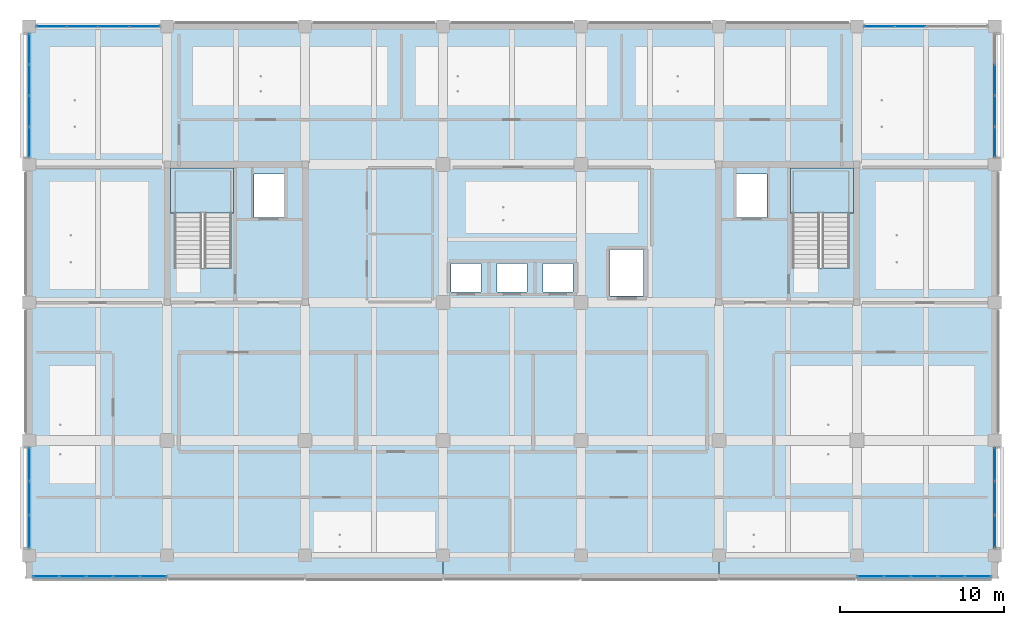
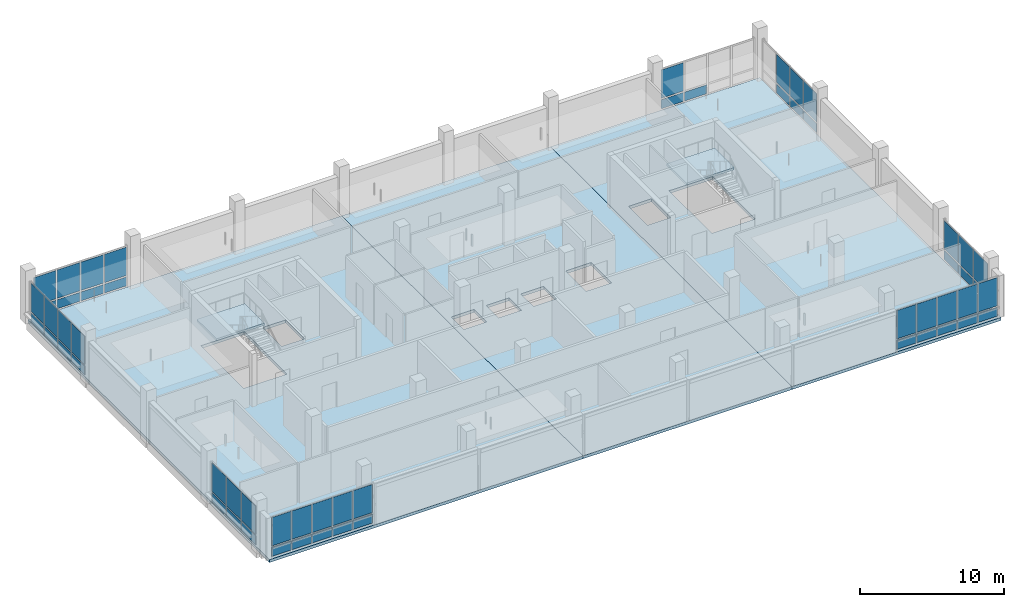
# One storey, part 10 of 35: 57 plates, 5 slabs, 10 elements without a shape of their own.
"""IFC4 building model written with IfcOpenShell, lengths in metres."""

from ifc_helpers import new_model, si_unit, direction, frame, origin, origin_2d, place, context, subcontext, project, spatial, polyline, rectangle, outline, extrude, material, layer, layer_set, type_object, element, aggregate, save


model = new_model("IFC4")

# Units and contexts
model_context = context("Model", 3, precision=1e-05, world=origin(), true_north=direction((0.0, 1.0)))
body_context = subcontext(model_context, "Body", "Model", "MODEL_VIEW")
ifc_project = project(units=[si_unit("LENGTHUNIT", "METRE"), si_unit("AREAUNIT", "SQUARE_METRE"), si_unit("VOLUMEUNIT", "CUBIC_METRE"), si_unit("PLANEANGLEUNIT", "RADIAN"), si_unit("MASSUNIT", "GRAM", prefix="KILO")], contexts=[model_context])

# Site, building, storey
site_placement = place(None, origin())
site = spatial("IfcSite", under=ifc_project, at=site_placement, CompositionType="ELEMENT")
building_placement = place(site_placement, origin())
building = spatial("IfcBuilding", under=site, at=building_placement, Name="Telukmera Botanical Conservatory", CompositionType="ELEMENT")
storey_placement = place(building_placement, frame((0.0, 0.0, 28.5)))
storey = spatial("IfcBuildingStorey", under=building, at=storey_placement, Name="L06", CompositionType="ELEMENT", Elevation=28.5)

# Stair, slab
ifc_material_1 = material(Name="Concrete C40/50", Category="concrete")
stair_type = type_object("IfcStairType", Name="ST-ESC-4500", PredefinedType="HALF_TURN_STAIR", material=ifc_material_1)
stair_1_placement = place(storey_placement, origin())
stair_1 = element("IfcStair", 1, at=stair_1_placement, inside=storey, type_object=stair_type, Name="L06 Protected Escape Stair ST1", PredefinedType="HALF_TURN_STAIR")
ifc_layer_1 = layer(ifc_material_1, 0.199951171875)
ifc_layer_set_1 = layer_set([ifc_layer_1], Name="Concrete C40/50")
slab_type_1 = type_object("IfcSlabType", Name="SL-LAND-200", PredefinedType="LANDING", material=ifc_layer_set_1)
slab_1_placement = place(storey_placement, frame((0.0, 0.0, 2.050048828125)))
slab_1 = element("IfcSlab", 2, at=slab_1_placement, type_object=slab_type_1, Name="ST1 landing 1", PredefinedType="LANDING", context=body_context, shape_type="SweptSolid", body=[
    extrude(outline(polyline([(59.0048828125, 31.449951171875), (62.844970703125, 31.449951171875), (62.844970703125, 34.195068359375), (59.0048828125, 34.195068359375), (59.0048828125, 31.449951171875)])), origin(), (0.0, 0.0, 1.0), 0.199951171875),
])
aggregate(stair_1, [slab_1])

stair_2_placement = place(storey_placement, origin())
stair_2 = element("IfcStair", 3, at=stair_2_placement, inside=storey, type_object=stair_type, Name="L06 Protected Escape Stair ST2", PredefinedType="HALF_TURN_STAIR")
slab_2_placement = place(storey_placement, frame((0.0, 0.0, 2.050048828125)))
slab_2 = element("IfcSlab", 4, at=slab_2_placement, type_object=slab_type_1, Name="ST2 landing 1", PredefinedType="LANDING", context=body_context, shape_type="SweptSolid", body=[
    extrude(outline(polyline([(96.7548828125, 31.449951171875), (100.594970703125, 31.449951171875), (100.594970703125, 34.195068359375), (96.7548828125, 34.195068359375), (96.7548828125, 31.449951171875)])), origin(), (0.0, 0.0, 1.0), 0.199951171875),
])
aggregate(stair_2, [slab_2])

# Slabs
ifc_layer_2 = layer(ifc_material_1, 0.25)
ifc_layer_set_2 = layer_set([ifc_layer_2], Name="Concrete C40/50")
slab_type_2 = type_object("IfcSlabType", Name="Slab_FS25", PredefinedType="FLOOR", material=ifc_layer_set_2)
slab_3_placement = place(storey_placement, frame((0.0, 0.0, -0.25)))
element("IfcSlab", 5, at=slab_3_placement, inside=storey, type_object=slab_type_2, Name="Tower Floor Slab L06 (WEST)", PredefinedType="FLOOR", context=body_context, shape_type="SweptSolid", body=[
    extrude(outline(polyline([(50.39990234375, 9.199951171875), (75.60009765625, 9.199951171875), (75.60009765625, 42.800048828125), (50.39990234375, 42.800048828125), (50.39990234375, 9.199951171875)]), holes=[polyline([(62.72998046875, 28.093017578125), (62.72998046875, 34.050048828125), (59.25, 34.050048828125), (59.25, 28.093017578125), (62.72998046875, 28.093017578125)]), polyline([(64.080078125, 31.179931640625), (65.919921875, 31.179931640625), (65.919921875, 33.820068359375), (64.080078125, 33.820068359375), (64.080078125, 31.179931640625)])]), origin(), (0.0, 0.0, 1.0), 0.25),
])
slab_4_placement = place(storey_placement, frame((0.0, 0.0, -0.25)))
element("IfcSlab", 6, at=slab_4_placement, inside=storey, type_object=slab_type_2, Name="Tower Floor Slab L06 (CENT)", PredefinedType="FLOOR", context=body_context, shape_type="SweptSolid", body=[
    extrude(outline(polyline([(75.60009765625, 9.199951171875), (92.39990234375, 9.199951171875), (92.39990234375, 42.800048828125), (75.60009765625, 42.800048828125), (75.60009765625, 9.199951171875)]), holes=[polyline([(85.780029296875, 26.3798828125), (87.820068359375, 26.3798828125), (87.820068359375, 29.219970703125), (85.780029296875, 29.219970703125), (85.780029296875, 26.3798828125)]), polyline([(76.080078125, 26.6298828125), (77.919921875, 26.6298828125), (77.919921875, 28.3701171875), (76.080078125, 28.3701171875), (76.080078125, 26.6298828125)]), polyline([(78.8798828125, 26.6298828125), (80.719970703125, 26.6298828125), (80.719970703125, 28.3701171875), (78.8798828125, 28.3701171875), (78.8798828125, 26.6298828125)]), polyline([(81.679931640625, 26.6298828125), (83.52001953125, 26.6298828125), (83.52001953125, 28.3701171875), (81.679931640625, 28.3701171875), (81.679931640625, 26.6298828125)])]), origin(), (0.0, 0.0, 1.0), 0.25),
])
slab_5_placement = place(storey_placement, frame((0.0, 0.0, -0.25)))
element("IfcSlab", 7, at=slab_5_placement, inside=storey, type_object=slab_type_2, Name="Tower Floor Slab L06 (EAST)", PredefinedType="FLOOR", context=body_context, shape_type="SweptSolid", body=[
    extrude(outline(polyline([(92.39990234375, 9.199951171875), (109.199951171875, 9.199951171875), (109.199951171875, 42.800048828125), (92.39990234375, 42.800048828125), (92.39990234375, 9.199951171875)]), holes=[polyline([(100.35009765625, 28.093017578125), (100.35009765625, 34.050048828125), (96.8701171875, 34.050048828125), (96.8701171875, 28.093017578125), (100.35009765625, 28.093017578125)]), polyline([(93.47998046875, 31.179931640625), (95.320068359375, 31.179931640625), (95.320068359375, 33.820068359375), (93.47998046875, 33.820068359375), (93.47998046875, 31.179931640625)])]), origin(), (0.0, 0.0, 1.0), 0.25),
])

# Curtain wall, plates
ifc_material_2 = material(Name="Anodised aluminium 6063-T6", Category="aluminium")
ifc_layer_3 = layer(ifc_material_2, 0.179931640625)
ifc_layer_set_3 = layer_set([ifc_layer_3], Name="Anodised aluminium 6063-T6")
curtain_wall_type = type_object("IfcCurtainWallType", Name="Tower Herbarium Curation Corner Curtain Wall", PredefinedType="USERDEFINED", material=ifc_layer_set_3)
curtain_wall_1_placement = place(storey_placement, origin())
curtain_wall_1 = element("IfcCurtainWall", 8, at=curtain_wall_1_placement, inside=storey, type_object=curtain_wall_type, Name="Unitised Curtain Wall CW14 V4:L06:S1", ObjectType="UNITISED CURTAIN WALL", PredefinedType="USERDEFINED")
ifc_material_3 = material(Name="Spectrally selective low-E double glazing", Category="glass")
ifc_layer_4 = layer(ifc_material_3, 0.0380859375)
ifc_layer_set_4 = layer_set([ifc_layer_4], Name="Spectrally selective low-E double glazing")
plate_type = type_object("IfcPlateType", Name="Solar Control Fritted Spandrel Glazing Panel 38", PredefinedType="CURTAIN_PANEL", material=ifc_layer_set_4)
plate_1_placement = place(storey_placement, frame((51.428955078125, 9.320068359375, 0.130126953125), z_axis=(0.0, 0.0, 1.0), x_axis=(1.0, 0.0, 0.0)))
plate_1 = element("IfcPlate", 9, at=plate_1_placement, type_object=plate_type, Name="CW14 panel 1.1", PredefinedType="CURTAIN_PANEL", context=body_context, shape_type="SweptSolid", body=[
    extrude(rectangle(XDim=1.543701171875, YDim=0.0380859375, at=origin_2d()), origin(), (0.0, 0.0, 1.0), 0.7548828125),
])
plate_2_placement = place(storey_placement, frame((51.428955078125, 9.320068359375, 1.01513671875), z_axis=(0.0, 0.0, 1.0), x_axis=(1.0, 0.0, 0.0)))
plate_2 = element("IfcPlate", 10, at=plate_2_placement, type_object=plate_type, Name="CW14 panel 1.2", PredefinedType="CURTAIN_PANEL", context=body_context, shape_type="SweptSolid", body=[
    extrude(rectangle(XDim=1.543701171875, YDim=0.0380859375, at=origin_2d()), origin(), (0.0, 0.0, 1.0), 2.405029296875),
])
plate_3_placement = place(storey_placement, frame((53.0537109375, 9.320068359375, 0.130126953125), z_axis=(0.0, 0.0, 1.0), x_axis=(1.0, 0.0, 0.0)))
plate_3 = element("IfcPlate", 11, at=plate_3_placement, type_object=plate_type, Name="CW14 panel 2.1", PredefinedType="CURTAIN_PANEL", context=body_context, shape_type="SweptSolid", body=[
    extrude(rectangle(XDim=1.576171875, YDim=0.0380859375, at=origin_2d()), origin(), (0.0, 0.0, 1.0), 0.7548828125),
])
plate_4_placement = place(storey_placement, frame((53.0537109375, 9.320068359375, 1.01513671875), z_axis=(0.0, 0.0, 1.0), x_axis=(1.0, 0.0, 0.0)))
plate_4 = element("IfcPlate", 12, at=plate_4_placement, type_object=plate_type, Name="CW14 panel 2.2", PredefinedType="CURTAIN_PANEL", context=body_context, shape_type="SweptSolid", body=[
    extrude(rectangle(XDim=1.576171875, YDim=0.0380859375, at=origin_2d()), origin(), (0.0, 0.0, 1.0), 2.405029296875),
])
plate_5_placement = place(storey_placement, frame((54.695068359375, 9.320068359375, 0.130126953125), z_axis=(0.0, 0.0, 1.0), x_axis=(1.0, 0.0, 0.0)))
plate_5 = element("IfcPlate", 13, at=plate_5_placement, type_object=plate_type, Name="CW14 panel 3.1", PredefinedType="CURTAIN_PANEL", context=body_context, shape_type="SweptSolid", body=[
    extrude(rectangle(XDim=1.576171875, YDim=0.0380859375, at=origin_2d()), origin(), (0.0, 0.0, 1.0), 0.7548828125),
])
plate_6_placement = place(storey_placement, frame((54.695068359375, 9.320068359375, 1.01513671875), z_axis=(0.0, 0.0, 1.0), x_axis=(1.0, 0.0, 0.0)))
plate_6 = element("IfcPlate", 14, at=plate_6_placement, type_object=plate_type, Name="CW14 panel 3.2", PredefinedType="CURTAIN_PANEL", context=body_context, shape_type="SweptSolid", body=[
    extrude(rectangle(XDim=1.576171875, YDim=0.0380859375, at=origin_2d()), origin(), (0.0, 0.0, 1.0), 2.405029296875),
])
plate_7_placement = place(storey_placement, frame((56.336181640625, 9.320068359375, 0.130126953125), z_axis=(0.0, 0.0, 1.0), x_axis=(1.0, 0.0, 0.0)))
plate_7 = element("IfcPlate", 15, at=plate_7_placement, type_object=plate_type, Name="CW14 panel 4.1", PredefinedType="CURTAIN_PANEL", context=body_context, shape_type="SweptSolid", body=[
    extrude(rectangle(XDim=1.576171875, YDim=0.0380859375, at=origin_2d()), origin(), (0.0, 0.0, 1.0), 0.7548828125),
])
plate_8_placement = place(storey_placement, frame((56.336181640625, 9.320068359375, 1.01513671875), z_axis=(0.0, 0.0, 1.0), x_axis=(1.0, 0.0, 0.0)))
plate_8 = element("IfcPlate", 16, at=plate_8_placement, type_object=plate_type, Name="CW14 panel 4.2", PredefinedType="CURTAIN_PANEL", context=body_context, shape_type="SweptSolid", body=[
    extrude(rectangle(XDim=1.576171875, YDim=0.0380859375, at=origin_2d()), origin(), (0.0, 0.0, 1.0), 2.405029296875),
])
plate_9_placement = place(storey_placement, frame((57.961181640625, 9.320068359375, 0.130126953125), z_axis=(0.0, 0.0, 1.0), x_axis=(1.0, 0.0, 0.0)))
plate_9 = element("IfcPlate", 17, at=plate_9_placement, type_object=plate_type, Name="CW14 panel 5.1", PredefinedType="CURTAIN_PANEL", context=body_context, shape_type="SweptSolid", body=[
    extrude(rectangle(XDim=1.543701171875, YDim=0.0380859375, at=origin_2d()), origin(), (0.0, 0.0, 1.0), 0.7548828125),
])
plate_10_placement = place(storey_placement, frame((57.961181640625, 9.320068359375, 1.01513671875), z_axis=(0.0, 0.0, 1.0), x_axis=(1.0, 0.0, 0.0)))
plate_10 = element("IfcPlate", 18, at=plate_10_placement, type_object=plate_type, Name="CW14 panel 5.2", PredefinedType="CURTAIN_PANEL", context=body_context, shape_type="SweptSolid", body=[
    extrude(rectangle(XDim=1.543701171875, YDim=0.0380859375, at=origin_2d()), origin(), (0.0, 0.0, 1.0), 2.405029296875),
])
aggregate(curtain_wall_1, [plate_1, plate_2, plate_3, plate_4, plate_5, plate_6, plate_7, plate_8, plate_9, plate_10])

curtain_wall_2_placement = place(storey_placement, origin())
curtain_wall_2 = element("IfcCurtainWall", 19, at=curtain_wall_2_placement, inside=storey, type_object=curtain_wall_type, Name="Unitised Curtain Wall CW14 V4:L06:S7", ObjectType="UNITISED CURTAIN WALL", PredefinedType="USERDEFINED")
plate_11_placement = place(storey_placement, frame((101.638916015625, 9.320068359375, 0.130126953125), z_axis=(0.0, 0.0, 1.0), x_axis=(1.0, 0.0, 0.0)))
plate_11 = element("IfcPlate", 20, at=plate_11_placement, type_object=plate_type, Name="CW14 panel 1.1", PredefinedType="CURTAIN_PANEL", context=body_context, shape_type="SweptSolid", body=[
    extrude(rectangle(XDim=1.543701171875, YDim=0.0380859375, at=origin_2d()), origin(), (0.0, 0.0, 1.0), 0.7548828125),
])
plate_12_placement = place(storey_placement, frame((101.638916015625, 9.320068359375, 1.01513671875), z_axis=(0.0, 0.0, 1.0), x_axis=(1.0, 0.0, 0.0)))
plate_12 = element("IfcPlate", 21, at=plate_12_placement, type_object=plate_type, Name="CW14 panel 1.2", PredefinedType="CURTAIN_PANEL", context=body_context, shape_type="SweptSolid", body=[
    extrude(rectangle(XDim=1.543701171875, YDim=0.0380859375, at=origin_2d()), origin(), (0.0, 0.0, 1.0), 2.405029296875),
])
plate_13_placement = place(storey_placement, frame((103.263916015625, 9.320068359375, 0.130126953125), z_axis=(0.0, 0.0, 1.0), x_axis=(1.0, 0.0, 0.0)))
plate_13 = element("IfcPlate", 22, at=plate_13_placement, type_object=plate_type, Name="CW14 panel 2.1", PredefinedType="CURTAIN_PANEL", context=body_context, shape_type="SweptSolid", body=[
    extrude(rectangle(XDim=1.576171875, YDim=0.0380859375, at=origin_2d()), origin(), (0.0, 0.0, 1.0), 0.7548828125),
])
plate_14_placement = place(storey_placement, frame((103.263916015625, 9.320068359375, 1.01513671875), z_axis=(0.0, 0.0, 1.0), x_axis=(1.0, 0.0, 0.0)))
plate_14 = element("IfcPlate", 23, at=plate_14_placement, type_object=plate_type, Name="CW14 panel 2.2", PredefinedType="CURTAIN_PANEL", context=body_context, shape_type="SweptSolid", body=[
    extrude(rectangle(XDim=1.576171875, YDim=0.0380859375, at=origin_2d()), origin(), (0.0, 0.0, 1.0), 2.405029296875),
])
plate_15_placement = place(storey_placement, frame((104.905029296875, 9.320068359375, 0.130126953125), z_axis=(0.0, 0.0, 1.0), x_axis=(1.0, 0.0, 0.0)))
plate_15 = element("IfcPlate", 24, at=plate_15_placement, type_object=plate_type, Name="CW14 panel 3.1", PredefinedType="CURTAIN_PANEL", context=body_context, shape_type="SweptSolid", body=[
    extrude(rectangle(XDim=1.576171875, YDim=0.0380859375, at=origin_2d()), origin(), (0.0, 0.0, 1.0), 0.7548828125),
])
plate_16_placement = place(storey_placement, frame((104.905029296875, 9.320068359375, 1.01513671875), z_axis=(0.0, 0.0, 1.0), x_axis=(1.0, 0.0, 0.0)))
plate_16 = element("IfcPlate", 25, at=plate_16_placement, type_object=plate_type, Name="CW14 panel 3.2", PredefinedType="CURTAIN_PANEL", context=body_context, shape_type="SweptSolid", body=[
    extrude(rectangle(XDim=1.576171875, YDim=0.0380859375, at=origin_2d()), origin(), (0.0, 0.0, 1.0), 2.405029296875),
])
plate_17_placement = place(storey_placement, frame((106.546142578125, 9.320068359375, 0.130126953125), z_axis=(0.0, 0.0, 1.0), x_axis=(1.0, 0.0, 0.0)))
plate_17 = element("IfcPlate", 26, at=plate_17_placement, type_object=plate_type, Name="CW14 panel 4.1", PredefinedType="CURTAIN_PANEL", context=body_context, shape_type="SweptSolid", body=[
    extrude(rectangle(XDim=1.576171875, YDim=0.0380859375, at=origin_2d()), origin(), (0.0, 0.0, 1.0), 0.7548828125),
])
plate_18_placement = place(storey_placement, frame((106.546142578125, 9.320068359375, 1.01513671875), z_axis=(0.0, 0.0, 1.0), x_axis=(1.0, 0.0, 0.0)))
plate_18 = element("IfcPlate", 27, at=plate_18_placement, type_object=plate_type, Name="CW14 panel 4.2", PredefinedType="CURTAIN_PANEL", context=body_context, shape_type="SweptSolid", body=[
    extrude(rectangle(XDim=1.576171875, YDim=0.0380859375, at=origin_2d()), origin(), (0.0, 0.0, 1.0), 2.405029296875),
])
plate_19_placement = place(storey_placement, frame((108.171142578125, 9.320068359375, 0.130126953125), z_axis=(0.0, 0.0, 1.0), x_axis=(1.0, 0.0, 0.0)))
plate_19 = element("IfcPlate", 28, at=plate_19_placement, type_object=plate_type, Name="CW14 panel 5.1", PredefinedType="CURTAIN_PANEL", context=body_context, shape_type="SweptSolid", body=[
    extrude(rectangle(XDim=1.543701171875, YDim=0.0380859375, at=origin_2d()), origin(), (0.0, 0.0, 1.0), 0.7548828125),
])
plate_20_placement = place(storey_placement, frame((108.171142578125, 9.320068359375, 1.01513671875), z_axis=(0.0, 0.0, 1.0), x_axis=(1.0, 0.0, 0.0)))
plate_20 = element("IfcPlate", 29, at=plate_20_placement, type_object=plate_type, Name="CW14 panel 5.2", PredefinedType="CURTAIN_PANEL", context=body_context, shape_type="SweptSolid", body=[
    extrude(rectangle(XDim=1.543701171875, YDim=0.0380859375, at=origin_2d()), origin(), (0.0, 0.0, 1.0), 2.405029296875),
])
aggregate(curtain_wall_2, [plate_11, plate_12, plate_13, plate_14, plate_15, plate_16, plate_17, plate_18, plate_19, plate_20])

curtain_wall_3_placement = place(storey_placement, origin())
curtain_wall_3 = element("IfcCurtainWall", 30, at=curtain_wall_3_placement, inside=storey, type_object=curtain_wall_type, Name="Unitised Curtain Wall CW14 V4:L06:N1", ObjectType="UNITISED CURTAIN WALL", PredefinedType="USERDEFINED")
plate_21_placement = place(storey_placement, frame((51.767822265625, 42.800048828125, 0.130126953125), z_axis=(0.0, 0.0, 1.0), x_axis=(1.0, 0.0, 0.0)))
plate_21 = element("IfcPlate", 31, at=plate_21_placement, type_object=plate_type, Name="CW14 panel 1.1", PredefinedType="CURTAIN_PANEL", context=body_context, shape_type="SweptSolid", body=[
    extrude(rectangle(XDim=1.801513671875, YDim=0.0380859375, at=origin_2d()), origin(), (0.0, 0.0, 1.0), 0.7548828125),
])
plate_22_placement = place(storey_placement, frame((51.767822265625, 42.800048828125, 1.01513671875), z_axis=(0.0, 0.0, 1.0), x_axis=(1.0, 0.0, 0.0)))
plate_22 = element("IfcPlate", 32, at=plate_22_placement, type_object=plate_type, Name="CW14 panel 1.2", PredefinedType="CURTAIN_PANEL", context=body_context, shape_type="SweptSolid", body=[
    extrude(rectangle(XDim=1.801513671875, YDim=0.0380859375, at=origin_2d()), origin(), (0.0, 0.0, 1.0), 2.405029296875),
])
plate_23_placement = place(storey_placement, frame((53.650390625, 42.800048828125, 0.130126953125), z_axis=(0.0, 0.0, 1.0), x_axis=(1.0, 0.0, 0.0)))
plate_23 = element("IfcPlate", 33, at=plate_23_placement, type_object=plate_type, Name="CW14 panel 2.1", PredefinedType="CURTAIN_PANEL", context=body_context, shape_type="SweptSolid", body=[
    extrude(rectangle(XDim=1.833984375, YDim=0.0380859375, at=origin_2d()), origin(), (0.0, 0.0, 1.0), 0.7548828125),
])
plate_24_placement = place(storey_placement, frame((53.650390625, 42.800048828125, 1.01513671875), z_axis=(0.0, 0.0, 1.0), x_axis=(1.0, 0.0, 0.0)))
plate_24 = element("IfcPlate", 34, at=plate_24_placement, type_object=plate_type, Name="CW14 panel 2.2", PredefinedType="CURTAIN_PANEL", context=body_context, shape_type="SweptSolid", body=[
    extrude(rectangle(XDim=1.833984375, YDim=0.0380859375, at=origin_2d()), origin(), (0.0, 0.0, 1.0), 2.405029296875),
])
plate_25_placement = place(storey_placement, frame((55.549560546875, 42.800048828125, 0.130126953125), z_axis=(0.0, 0.0, 1.0), x_axis=(1.0, 0.0, 0.0)))
plate_25 = element("IfcPlate", 35, at=plate_25_placement, type_object=plate_type, Name="CW14 panel 3.1", PredefinedType="CURTAIN_PANEL", context=body_context, shape_type="SweptSolid", body=[
    extrude(rectangle(XDim=1.833984375, YDim=0.0380859375, at=origin_2d()), origin(), (0.0, 0.0, 1.0), 0.7548828125),
])
plate_26_placement = place(storey_placement, frame((55.549560546875, 42.800048828125, 1.01513671875), z_axis=(0.0, 0.0, 1.0), x_axis=(1.0, 0.0, 0.0)))
plate_26 = element("IfcPlate", 36, at=plate_26_placement, type_object=plate_type, Name="CW14 panel 3.2", PredefinedType="CURTAIN_PANEL", context=body_context, shape_type="SweptSolid", body=[
    extrude(rectangle(XDim=1.833984375, YDim=0.0380859375, at=origin_2d()), origin(), (0.0, 0.0, 1.0), 2.405029296875),
])
plate_27_placement = place(storey_placement, frame((57.43212890625, 42.800048828125, 0.130126953125), z_axis=(0.0, 0.0, 1.0), x_axis=(1.0, 0.0, 0.0)))
plate_27 = element("IfcPlate", 37, at=plate_27_placement, type_object=plate_type, Name="CW14 panel 4.1", PredefinedType="CURTAIN_PANEL", context=body_context, shape_type="SweptSolid", body=[
    extrude(rectangle(XDim=1.801513671875, YDim=0.0380859375, at=origin_2d()), origin(), (0.0, 0.0, 1.0), 0.7548828125),
])
plate_28_placement = place(storey_placement, frame((57.43212890625, 42.800048828125, 1.01513671875), z_axis=(0.0, 0.0, 1.0), x_axis=(1.0, 0.0, 0.0)))
plate_28 = element("IfcPlate", 38, at=plate_28_placement, type_object=plate_type, Name="CW14 panel 4.2", PredefinedType="CURTAIN_PANEL", context=body_context, shape_type="SweptSolid", body=[
    extrude(rectangle(XDim=1.801513671875, YDim=0.0380859375, at=origin_2d()), origin(), (0.0, 0.0, 1.0), 2.405029296875),
])
aggregate(curtain_wall_3, [plate_21, plate_22, plate_23, plate_24, plate_25, plate_26, plate_27, plate_28])

curtain_wall_4_placement = place(storey_placement, origin())
curtain_wall_4 = element("IfcCurtainWall", 39, at=curtain_wall_4_placement, inside=storey, type_object=curtain_wall_type, Name="Unitised Curtain Wall CW14 V4:L06:N7", ObjectType="UNITISED CURTAIN WALL", PredefinedType="USERDEFINED")
plate_29_placement = place(storey_placement, frame((102.167724609375, 42.800048828125, 0.130126953125), z_axis=(0.0, 0.0, 1.0), x_axis=(1.0, 0.0, 0.0)))
plate_29 = element("IfcPlate", 40, at=plate_29_placement, type_object=plate_type, Name="CW14 panel 1.1", PredefinedType="CURTAIN_PANEL", context=body_context, shape_type="SweptSolid", body=[
    extrude(rectangle(XDim=1.801513671875, YDim=0.0380859375, at=origin_2d()), origin(), (0.0, 0.0, 1.0), 0.7548828125),
])
plate_30_placement = place(storey_placement, frame((102.167724609375, 42.800048828125, 1.01513671875), z_axis=(0.0, 0.0, 1.0), x_axis=(1.0, 0.0, 0.0)))
plate_30 = element("IfcPlate", 41, at=plate_30_placement, type_object=plate_type, Name="CW14 panel 1.2", PredefinedType="CURTAIN_PANEL", context=body_context, shape_type="SweptSolid", body=[
    extrude(rectangle(XDim=1.801513671875, YDim=0.0380859375, at=origin_2d()), origin(), (0.0, 0.0, 1.0), 2.405029296875),
])
plate_31_placement = place(storey_placement, frame((104.050537109375, 42.800048828125, 0.130126953125), z_axis=(0.0, 0.0, 1.0), x_axis=(1.0, 0.0, 0.0)))
plate_31 = element("IfcPlate", 42, at=plate_31_placement, type_object=plate_type, Name="CW14 panel 2.1", PredefinedType="CURTAIN_PANEL", context=body_context, shape_type="SweptSolid", body=[
    extrude(rectangle(XDim=1.833984375, YDim=0.0380859375, at=origin_2d()), origin(), (0.0, 0.0, 1.0), 0.7548828125),
])
aggregate(curtain_wall_4, [plate_29, plate_30, plate_31])

curtain_wall_5_placement = place(storey_placement, origin())
curtain_wall_5 = element("IfcCurtainWall", 43, at=curtain_wall_5_placement, inside=storey, type_object=curtain_wall_type, Name="Unitised Curtain Wall CW14 V4:L06:W1", ObjectType="UNITISED CURTAIN WALL", PredefinedType="USERDEFINED")
plate_32_placement = place(storey_placement, frame((50.39990234375, 12.051025390625, 0.130126953125), z_axis=(0.0, 0.0, 1.0), x_axis=(0.0, 1.0, 0.0)))
plate_32 = element("IfcPlate", 44, at=plate_32_placement, type_object=plate_type, Name="CW14 panel 1.1", PredefinedType="CURTAIN_PANEL", context=body_context, shape_type="SweptSolid", body=[
    extrude(rectangle(XDim=1.9677734375, YDim=0.0380859375, at=origin_2d()), origin(), (0.0, 0.0, 1.0), 0.7548828125),
])
plate_33_placement = place(storey_placement, frame((50.39990234375, 12.051025390625, 1.01513671875), z_axis=(0.0, 0.0, 1.0), x_axis=(0.0, 1.0, 0.0)))
plate_33 = element("IfcPlate", 45, at=plate_33_placement, type_object=plate_type, Name="CW14 panel 1.2", PredefinedType="CURTAIN_PANEL", context=body_context, shape_type="SweptSolid", body=[
    extrude(rectangle(XDim=1.9677734375, YDim=0.0380859375, at=origin_2d()), origin(), (0.0, 0.0, 1.0), 2.405029296875),
])
plate_34_placement = place(storey_placement, frame((50.39990234375, 14.10009765625, 0.130126953125), z_axis=(0.0, 0.0, 1.0), x_axis=(0.0, 1.0, 0.0)))
plate_34 = element("IfcPlate", 46, at=plate_34_placement, type_object=plate_type, Name="CW14 panel 2.1", PredefinedType="CURTAIN_PANEL", context=body_context, shape_type="SweptSolid", body=[
    extrude(rectangle(XDim=2.000244140625, YDim=0.0380859375, at=origin_2d()), origin(), (0.0, 0.0, 1.0), 0.7548828125),
])
plate_35_placement = place(storey_placement, frame((50.39990234375, 14.10009765625, 1.01513671875), z_axis=(0.0, 0.0, 1.0), x_axis=(0.0, 1.0, 0.0)))
plate_35 = element("IfcPlate", 47, at=plate_35_placement, type_object=plate_type, Name="CW14 panel 2.2", PredefinedType="CURTAIN_PANEL", context=body_context, shape_type="SweptSolid", body=[
    extrude(rectangle(XDim=2.000244140625, YDim=0.0380859375, at=origin_2d()), origin(), (0.0, 0.0, 1.0), 2.405029296875),
])
plate_36_placement = place(storey_placement, frame((50.39990234375, 16.149169921875, 0.130126953125), z_axis=(0.0, 0.0, 1.0), x_axis=(0.0, 1.0, 0.0)))
plate_36 = element("IfcPlate", 48, at=plate_36_placement, type_object=plate_type, Name="CW14 panel 3.1", PredefinedType="CURTAIN_PANEL", context=body_context, shape_type="SweptSolid", body=[
    extrude(rectangle(XDim=1.9677734375, YDim=0.0380859375, at=origin_2d()), origin(), (0.0, 0.0, 1.0), 0.7548828125),
])
plate_37_placement = place(storey_placement, frame((50.39990234375, 16.149169921875, 1.01513671875), z_axis=(0.0, 0.0, 1.0), x_axis=(0.0, 1.0, 0.0)))
plate_37 = element("IfcPlate", 49, at=plate_37_placement, type_object=plate_type, Name="CW14 panel 3.2", PredefinedType="CURTAIN_PANEL", context=body_context, shape_type="SweptSolid", body=[
    extrude(rectangle(XDim=1.9677734375, YDim=0.0380859375, at=origin_2d()), origin(), (0.0, 0.0, 1.0), 2.405029296875),
])
aggregate(curtain_wall_5, [plate_32, plate_33, plate_34, plate_35, plate_36, plate_37])

curtain_wall_6_placement = place(storey_placement, origin())
curtain_wall_6 = element("IfcCurtainWall", 50, at=curtain_wall_6_placement, inside=storey, type_object=curtain_wall_type, Name="Unitised Curtain Wall CW14 V4:L06:E1", ObjectType="UNITISED CURTAIN WALL", PredefinedType="USERDEFINED")
plate_38_placement = place(storey_placement, frame((109.199951171875, 12.051025390625, 0.130126953125), z_axis=(0.0, 0.0, 1.0), x_axis=(0.0, 1.0, 0.0)))
plate_38 = element("IfcPlate", 51, at=plate_38_placement, type_object=plate_type, Name="CW14 panel 1.1", PredefinedType="CURTAIN_PANEL", context=body_context, shape_type="SweptSolid", body=[
    extrude(rectangle(XDim=1.9677734375, YDim=0.0380859375, at=origin_2d()), origin(), (0.0, 0.0, 1.0), 0.7548828125),
])
plate_39_placement = place(storey_placement, frame((109.199951171875, 12.051025390625, 1.01513671875), z_axis=(0.0, 0.0, 1.0), x_axis=(0.0, 1.0, 0.0)))
plate_39 = element("IfcPlate", 52, at=plate_39_placement, type_object=plate_type, Name="CW14 panel 1.2", PredefinedType="CURTAIN_PANEL", context=body_context, shape_type="SweptSolid", body=[
    extrude(rectangle(XDim=1.9677734375, YDim=0.0380859375, at=origin_2d()), origin(), (0.0, 0.0, 1.0), 2.405029296875),
])
plate_40_placement = place(storey_placement, frame((109.199951171875, 14.10009765625, 0.130126953125), z_axis=(0.0, 0.0, 1.0), x_axis=(0.0, 1.0, 0.0)))
plate_40 = element("IfcPlate", 53, at=plate_40_placement, type_object=plate_type, Name="CW14 panel 2.1", PredefinedType="CURTAIN_PANEL", context=body_context, shape_type="SweptSolid", body=[
    extrude(rectangle(XDim=2.000244140625, YDim=0.0380859375, at=origin_2d()), origin(), (0.0, 0.0, 1.0), 0.7548828125),
])
plate_41_placement = place(storey_placement, frame((109.199951171875, 14.10009765625, 1.01513671875), z_axis=(0.0, 0.0, 1.0), x_axis=(0.0, 1.0, 0.0)))
plate_41 = element("IfcPlate", 54, at=plate_41_placement, type_object=plate_type, Name="CW14 panel 2.2", PredefinedType="CURTAIN_PANEL", context=body_context, shape_type="SweptSolid", body=[
    extrude(rectangle(XDim=2.000244140625, YDim=0.0380859375, at=origin_2d()), origin(), (0.0, 0.0, 1.0), 2.405029296875),
])
plate_42_placement = place(storey_placement, frame((109.199951171875, 16.149169921875, 0.130126953125), z_axis=(0.0, 0.0, 1.0), x_axis=(0.0, 1.0, 0.0)))
plate_42 = element("IfcPlate", 55, at=plate_42_placement, type_object=plate_type, Name="CW14 panel 3.1", PredefinedType="CURTAIN_PANEL", context=body_context, shape_type="SweptSolid", body=[
    extrude(rectangle(XDim=1.9677734375, YDim=0.0380859375, at=origin_2d()), origin(), (0.0, 0.0, 1.0), 0.7548828125),
])
plate_43_placement = place(storey_placement, frame((109.199951171875, 16.149169921875, 1.01513671875), z_axis=(0.0, 0.0, 1.0), x_axis=(0.0, 1.0, 0.0)))
plate_43 = element("IfcPlate", 56, at=plate_43_placement, type_object=plate_type, Name="CW14 panel 3.2", PredefinedType="CURTAIN_PANEL", context=body_context, shape_type="SweptSolid", body=[
    extrude(rectangle(XDim=1.9677734375, YDim=0.0380859375, at=origin_2d()), origin(), (0.0, 0.0, 1.0), 2.405029296875),
])
aggregate(curtain_wall_6, [plate_38, plate_39, plate_40, plate_41, plate_42, plate_43])

curtain_wall_7_placement = place(storey_placement, origin())
curtain_wall_7 = element("IfcCurtainWall", 57, at=curtain_wall_7_placement, inside=storey, type_object=curtain_wall_type, Name="Unitised Curtain Wall CW14 V4:L06:W4", ObjectType="UNITISED CURTAIN WALL", PredefinedType="USERDEFINED")
plate_44_placement = place(storey_placement, frame((50.39990234375, 35.767822265625, 0.130126953125), z_axis=(0.0, 0.0, 1.0), x_axis=(0.0, 1.0, 0.0)))
plate_44 = element("IfcPlate", 58, at=plate_44_placement, type_object=plate_type, Name="CW14 panel 1.1", PredefinedType="CURTAIN_PANEL", context=body_context, shape_type="SweptSolid", body=[
    extrude(rectangle(XDim=1.801513671875, YDim=0.0380859375, at=origin_2d()), origin(), (0.0, 0.0, 1.0), 0.7548828125),
])
plate_45_placement = place(storey_placement, frame((50.39990234375, 35.767822265625, 1.01513671875), z_axis=(0.0, 0.0, 1.0), x_axis=(0.0, 1.0, 0.0)))
plate_45 = element("IfcPlate", 59, at=plate_45_placement, type_object=plate_type, Name="CW14 panel 1.2", PredefinedType="CURTAIN_PANEL", context=body_context, shape_type="SweptSolid", body=[
    extrude(rectangle(XDim=1.801513671875, YDim=0.0380859375, at=origin_2d()), origin(), (0.0, 0.0, 1.0), 2.405029296875),
])
plate_46_placement = place(storey_placement, frame((50.39990234375, 37.650390625, 0.130126953125), z_axis=(0.0, 0.0, 1.0), x_axis=(0.0, 1.0, 0.0)))
plate_46 = element("IfcPlate", 60, at=plate_46_placement, type_object=plate_type, Name="CW14 panel 2.1", PredefinedType="CURTAIN_PANEL", context=body_context, shape_type="SweptSolid", body=[
    extrude(rectangle(XDim=1.833984375, YDim=0.0380859375, at=origin_2d()), origin(), (0.0, 0.0, 1.0), 0.7548828125),
])
plate_47_placement = place(storey_placement, frame((50.39990234375, 37.650390625, 1.01513671875), z_axis=(0.0, 0.0, 1.0), x_axis=(0.0, 1.0, 0.0)))
plate_47 = element("IfcPlate", 61, at=plate_47_placement, type_object=plate_type, Name="CW14 panel 2.2", PredefinedType="CURTAIN_PANEL", context=body_context, shape_type="SweptSolid", body=[
    extrude(rectangle(XDim=1.833984375, YDim=0.0380859375, at=origin_2d()), origin(), (0.0, 0.0, 1.0), 2.405029296875),
])
plate_48_placement = place(storey_placement, frame((50.39990234375, 39.549560546875, 0.130126953125), z_axis=(0.0, 0.0, 1.0), x_axis=(0.0, 1.0, 0.0)))
plate_48 = element("IfcPlate", 62, at=plate_48_placement, type_object=plate_type, Name="CW14 panel 3.1", PredefinedType="CURTAIN_PANEL", context=body_context, shape_type="SweptSolid", body=[
    extrude(rectangle(XDim=1.833984375, YDim=0.0380859375, at=origin_2d()), origin(), (0.0, 0.0, 1.0), 0.7548828125),
])
plate_49_placement = place(storey_placement, frame((50.39990234375, 39.549560546875, 1.01513671875), z_axis=(0.0, 0.0, 1.0), x_axis=(0.0, 1.0, 0.0)))
plate_49 = element("IfcPlate", 63, at=plate_49_placement, type_object=plate_type, Name="CW14 panel 3.2", PredefinedType="CURTAIN_PANEL", context=body_context, shape_type="SweptSolid", body=[
    extrude(rectangle(XDim=1.833984375, YDim=0.0380859375, at=origin_2d()), origin(), (0.0, 0.0, 1.0), 2.405029296875),
])
plate_50_placement = place(storey_placement, frame((50.39990234375, 41.43212890625, 0.130126953125), z_axis=(0.0, 0.0, 1.0), x_axis=(0.0, 1.0, 0.0)))
plate_50 = element("IfcPlate", 64, at=plate_50_placement, type_object=plate_type, Name="CW14 panel 4.1", PredefinedType="CURTAIN_PANEL", context=body_context, shape_type="SweptSolid", body=[
    extrude(rectangle(XDim=1.801513671875, YDim=0.0380859375, at=origin_2d()), origin(), (0.0, 0.0, 1.0), 0.7548828125),
])
plate_51_placement = place(storey_placement, frame((50.39990234375, 41.43212890625, 1.01513671875), z_axis=(0.0, 0.0, 1.0), x_axis=(0.0, 1.0, 0.0)))
plate_51 = element("IfcPlate", 65, at=plate_51_placement, type_object=plate_type, Name="CW14 panel 4.2", PredefinedType="CURTAIN_PANEL", context=body_context, shape_type="SweptSolid", body=[
    extrude(rectangle(XDim=1.801513671875, YDim=0.0380859375, at=origin_2d()), origin(), (0.0, 0.0, 1.0), 2.405029296875),
])
aggregate(curtain_wall_7, [plate_44, plate_45, plate_46, plate_47, plate_48, plate_49, plate_50, plate_51])

curtain_wall_8_placement = place(storey_placement, origin())
curtain_wall_8 = element("IfcCurtainWall", 66, at=curtain_wall_8_placement, inside=storey, type_object=curtain_wall_type, Name="Unitised Curtain Wall CW14 V4:L06:E4", ObjectType="UNITISED CURTAIN WALL", PredefinedType="USERDEFINED")
plate_52_placement = place(storey_placement, frame((109.199951171875, 35.767822265625, 0.130126953125), z_axis=(0.0, 0.0, 1.0), x_axis=(0.0, 1.0, 0.0)))
plate_52 = element("IfcPlate", 67, at=plate_52_placement, type_object=plate_type, Name="CW14 panel 1.1", PredefinedType="CURTAIN_PANEL", context=body_context, shape_type="SweptSolid", body=[
    extrude(rectangle(XDim=1.801513671875, YDim=0.0380859375, at=origin_2d()), origin(), (0.0, 0.0, 1.0), 0.7548828125),
])
plate_53_placement = place(storey_placement, frame((109.199951171875, 35.767822265625, 1.01513671875), z_axis=(0.0, 0.0, 1.0), x_axis=(0.0, 1.0, 0.0)))
plate_53 = element("IfcPlate", 68, at=plate_53_placement, type_object=plate_type, Name="CW14 panel 1.2", PredefinedType="CURTAIN_PANEL", context=body_context, shape_type="SweptSolid", body=[
    extrude(rectangle(XDim=1.801513671875, YDim=0.0380859375, at=origin_2d()), origin(), (0.0, 0.0, 1.0), 2.405029296875),
])
plate_54_placement = place(storey_placement, frame((109.199951171875, 37.650390625, 0.130126953125), z_axis=(0.0, 0.0, 1.0), x_axis=(0.0, 1.0, 0.0)))
plate_54 = element("IfcPlate", 69, at=plate_54_placement, type_object=plate_type, Name="CW14 panel 2.1", PredefinedType="CURTAIN_PANEL", context=body_context, shape_type="SweptSolid", body=[
    extrude(rectangle(XDim=1.833984375, YDim=0.0380859375, at=origin_2d()), origin(), (0.0, 0.0, 1.0), 0.7548828125),
])
plate_55_placement = place(storey_placement, frame((109.199951171875, 37.650390625, 1.01513671875), z_axis=(0.0, 0.0, 1.0), x_axis=(0.0, 1.0, 0.0)))
plate_55 = element("IfcPlate", 70, at=plate_55_placement, type_object=plate_type, Name="CW14 panel 2.2", PredefinedType="CURTAIN_PANEL", context=body_context, shape_type="SweptSolid", body=[
    extrude(rectangle(XDim=1.833984375, YDim=0.0380859375, at=origin_2d()), origin(), (0.0, 0.0, 1.0), 2.405029296875),
])
plate_56_placement = place(storey_placement, frame((109.199951171875, 39.549560546875, 0.130126953125), z_axis=(0.0, 0.0, 1.0), x_axis=(0.0, 1.0, 0.0)))
plate_56 = element("IfcPlate", 71, at=plate_56_placement, type_object=plate_type, Name="CW14 panel 3.1", PredefinedType="CURTAIN_PANEL", context=body_context, shape_type="SweptSolid", body=[
    extrude(rectangle(XDim=1.833984375, YDim=0.0380859375, at=origin_2d()), origin(), (0.0, 0.0, 1.0), 0.7548828125),
])
plate_57_placement = place(storey_placement, frame((109.199951171875, 39.549560546875, 1.01513671875), z_axis=(0.0, 0.0, 1.0), x_axis=(0.0, 1.0, 0.0)))
plate_57 = element("IfcPlate", 72, at=plate_57_placement, type_object=plate_type, Name="CW14 panel 3.2", PredefinedType="CURTAIN_PANEL", context=body_context, shape_type="SweptSolid", body=[
    extrude(rectangle(XDim=1.833984375, YDim=0.0380859375, at=origin_2d()), origin(), (0.0, 0.0, 1.0), 2.405029296875),
])
aggregate(curtain_wall_8, [plate_52, plate_53, plate_54, plate_55, plate_56, plate_57])

save(model, "model.ifc")
